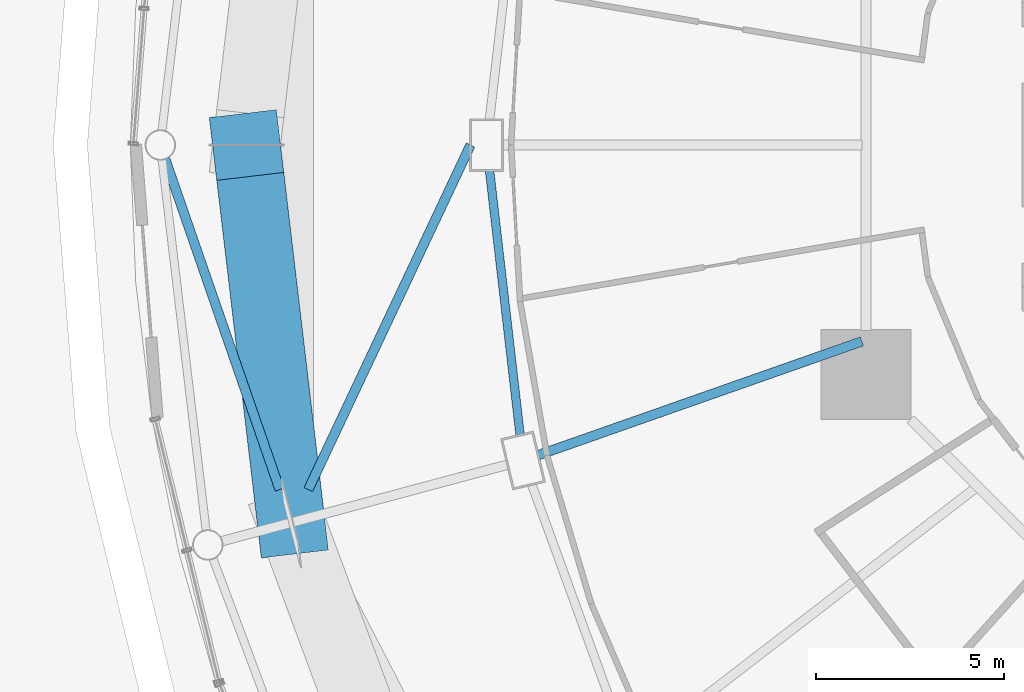
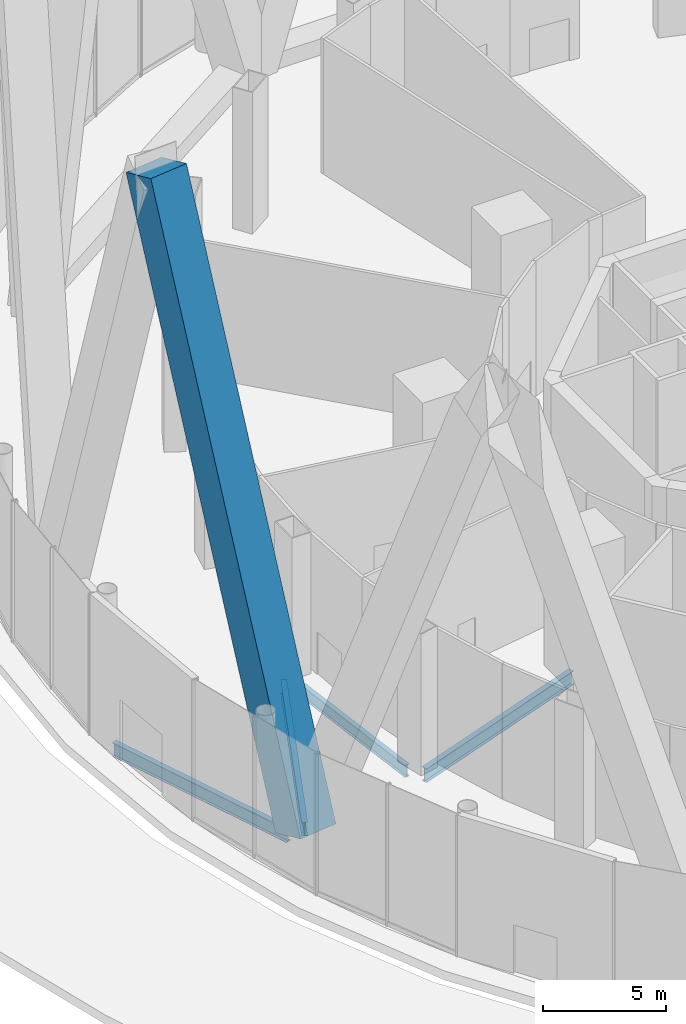
# One storey, part 23 of 67: 4 beams, 1 member.
"""IFC4 building model written with IfcOpenShell, lengths in metres."""

from ifc_helpers import new_model, si_unit, direction, frame, origin, origin_2d, place, context, subcontext, project, spatial, rectangle, i_section, extrude, material, material_profile, profile_set, type_object, element, save


model = new_model("IFC4")

# Units and contexts
model_context = context("Model", 3, precision=1e-05, world=origin(), true_north=direction((0.0, 1.0)))
body_context = subcontext(model_context, "Body", "Model", "MODEL_VIEW")
ifc_project = project(units=[si_unit("LENGTHUNIT", "METRE"), si_unit("AREAUNIT", "SQUARE_METRE"), si_unit("VOLUMEUNIT", "CUBIC_METRE"), si_unit("PLANEANGLEUNIT", "RADIAN"), si_unit("MASSUNIT", "GRAM", prefix="KILO")], contexts=[model_context])

# Site, building, storey
site_placement = place(None, origin())
site = spatial("IfcSite", under=ifc_project, at=site_placement, CompositionType="ELEMENT")
building_placement = place(site_placement, origin())
building = spatial("IfcBuilding", under=site, at=building_placement, Name="Nagisa Residences", CompositionType="ELEMENT")
storey_placement = place(building_placement, origin())
storey = spatial("IfcBuildingStorey", under=building, at=storey_placement, Name="L00", CompositionType="ELEMENT", Elevation=0.0)

# Beams
ifc_material_1 = material(Name="Steel ASTM A572 Gr 50", Category="steel")
ifc_material_profile_1 = material_profile(ifc_material_1, i_section(OverallWidth=0.2529296875, OverallDepth=0.677978515625, WebThickness=0.01171875, FlangeThickness=0.016357421875, at=origin_2d()), Name="W690x125")
ifc_profile_set_1 = profile_set([ifc_material_profile_1], Name="Steel ASTM A572 Gr 50")
beam_type_1 = type_object("IfcBeamType", Name="Atrium outer beam W690x125", PredefinedType="BEAM", material=ifc_profile_set_1)
beam_1_placement = place(storey_placement, frame((-25.330078125, 0.0, -0.739013671875), z_axis=(-0.425917471077, -0.904762017235, 0.0), x_axis=(0.904762017235, -0.425917471077, 0.0)))
element("IfcBeam", 1, at=beam_1_placement, inside=storey, type_object=beam_type_1, Name="beam:L00:er13a", PredefinedType="BEAM", context=body_context, shape_type="SweptSolid", body=[
    extrude(i_section(OverallWidth=0.2529296875, OverallDepth=0.677978515625, WebThickness=0.01171875, FlangeThickness=0.016357421875, at=origin_2d()), origin(), (0.0, 0.0, 1.0), 10.15283203125),
])
beam_2_placement = place(storey_placement, frame((-30.416259765625, -9.18701171875, -0.739013671875), z_axis=(-0.327439256124, 0.944872231336, 0.0), x_axis=(-0.944872231336, -0.327439256124, 0.0)))
element("IfcBeam", 2, at=beam_2_placement, inside=storey, type_object=beam_type_1, Name="beam:L00:er13b", PredefinedType="BEAM", context=body_context, shape_type="SweptSolid", body=[
    extrude(i_section(OverallWidth=0.2529296875, OverallDepth=0.677978515625, WebThickness=0.01171875, FlangeThickness=0.016357421875, at=origin_2d()), origin(), (0.0, 0.0, 1.0), 9.33642578125),
])

# Member
ifc_material_2 = material(Name="Concrete C80", Category="concrete")
ifc_material_profile_2 = material_profile(ifc_material_2, rectangle(XDim=1.800048828125, YDim=1.800048828125, at=origin_2d()), Name="C80 1800x1800")
ifc_profile_set_2 = profile_set([ifc_material_profile_2], Name="Concrete C80")
member_type = type_object("IfcMemberType", Name="Cage diagonal 1 C80 1800x1800", PredefinedType="BRACE", material=ifc_profile_set_2)
member_placement = place(storey_placement, frame((-30.11083984375, -10.068115234375, 0.0), z_axis=(-0.041233826702, 0.349095007056, 0.936179709022), x_axis=(-0.993096417331, -0.117300920217, 0.0)))
element("IfcMember", 3, at=member_placement, inside=storey, type_object=member_type, Name="mem:L00:cg1d013", PredefinedType="BRACE", context=body_context, shape_type="SweptSolid", body=[
    extrude(rectangle(XDim=1.800048828125, YDim=1.800048828125, at=origin_2d()), origin(), (0.0, 0.0, 1.0), 28.840576171875),
])

# Beams
ifc_material_3 = material(Name="Steel ASTM A572 Gr 50", Category="steel")
ifc_material_profile_3 = material_profile(ifc_material_3, i_section(OverallWidth=0.22802734375, OverallDepth=0.60302734375, WebThickness=0.010498046875, FlangeThickness=0.014892578125, at=origin_2d()), Name="W610x101")
ifc_profile_set_3 = profile_set([ifc_material_profile_3], Name="Steel ASTM A572 Gr 50")
beam_type_2 = type_object("IfcBeamType", Name="Perimeter ring beam W610x101", PredefinedType="BEAM", material=ifc_profile_set_3)
beam_3_placement = place(storey_placement, frame((-24.821533203125, -0.68017578125, -0.701416015625), z_axis=(0.114707660057, -0.993399291687, 0.0), x_axis=(0.993399291687, 0.114707660057, 0.0)))
element("IfcBeam", 4, at=beam_3_placement, inside=storey, type_object=beam_type_2, Name="beam:L00:pb13", PredefinedType="BEAM", context=body_context, shape_type="SweptSolid", body=[
    extrude(i_section(OverallWidth=0.22802734375, OverallDepth=0.60302734375, WebThickness=0.010498046875, FlangeThickness=0.014892578125, at=origin_2d()), origin(), (0.0, 0.0, 1.0), 7.09814453125),
])
ifc_material_4 = material(Name="Steel ASTM A572 Gr 50", Category="steel")
ifc_material_profile_4 = material_profile(ifc_material_4, i_section(OverallWidth=0.25390625, OverallDepth=0.68408203125, WebThickness=0.012451171875, FlangeThickness=0.018798828125, at=origin_2d()), Name="W690x140")
ifc_profile_set_4 = profile_set([ifc_material_profile_4], Name="Steel ASTM A572 Gr 50")
beam_type_3 = type_object("IfcBeamType", Name="Radial beam W690x140", PredefinedType="BEAM", material=ifc_profile_set_4)
beam_4_placement = place(storey_placement, frame((-23.520751953125, -8.26806640625, -0.741943359375), z_axis=(0.943414535235, 0.331615763659, 0.0), x_axis=(-0.331615763659, 0.943414535235, 0.0)))
element("IfcBeam", 5, at=beam_4_placement, inside=storey, type_object=beam_type_3, Name="beam:L00:rb14", PredefinedType="BEAM", context=body_context, shape_type="SweptSolid", body=[
    extrude(i_section(OverallWidth=0.25390625, OverallDepth=0.68408203125, WebThickness=0.012451171875, FlangeThickness=0.018798828125, at=origin_2d()), origin(), (0.0, 0.0, 1.0), 9.142333984375),
])

save(model, "model.ifc")
